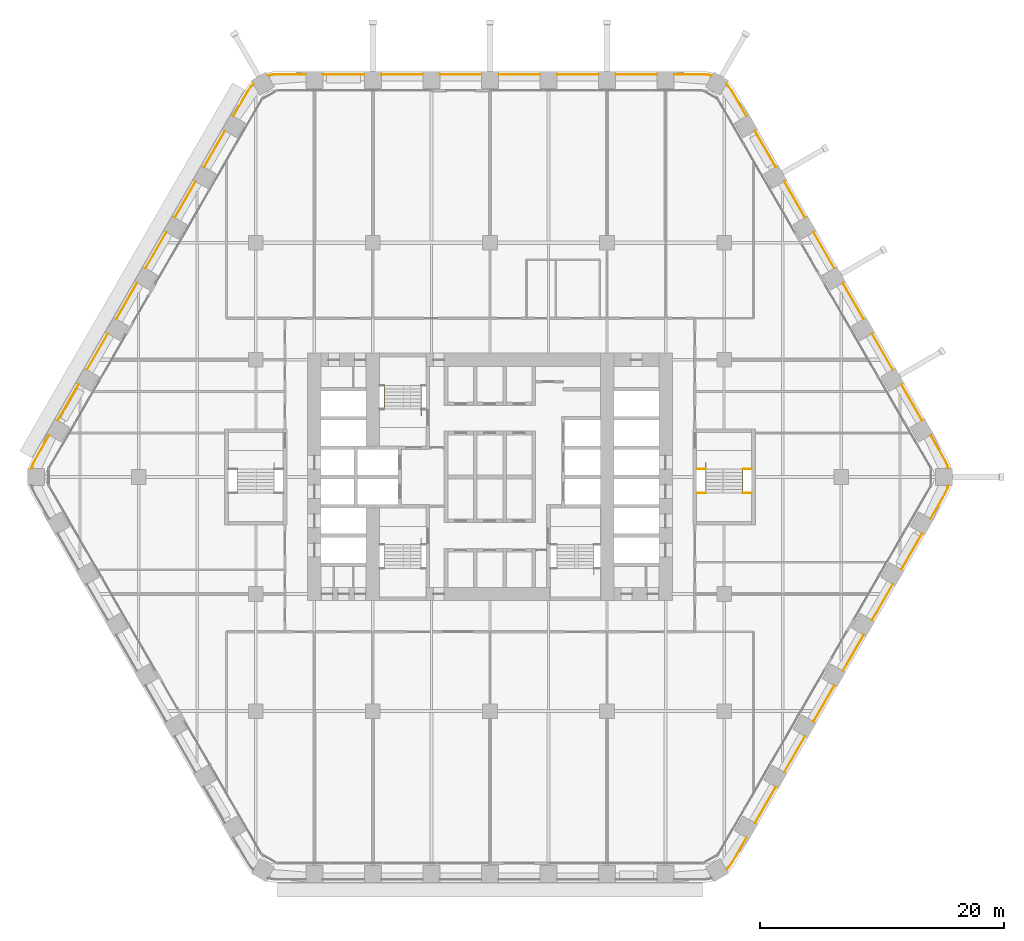
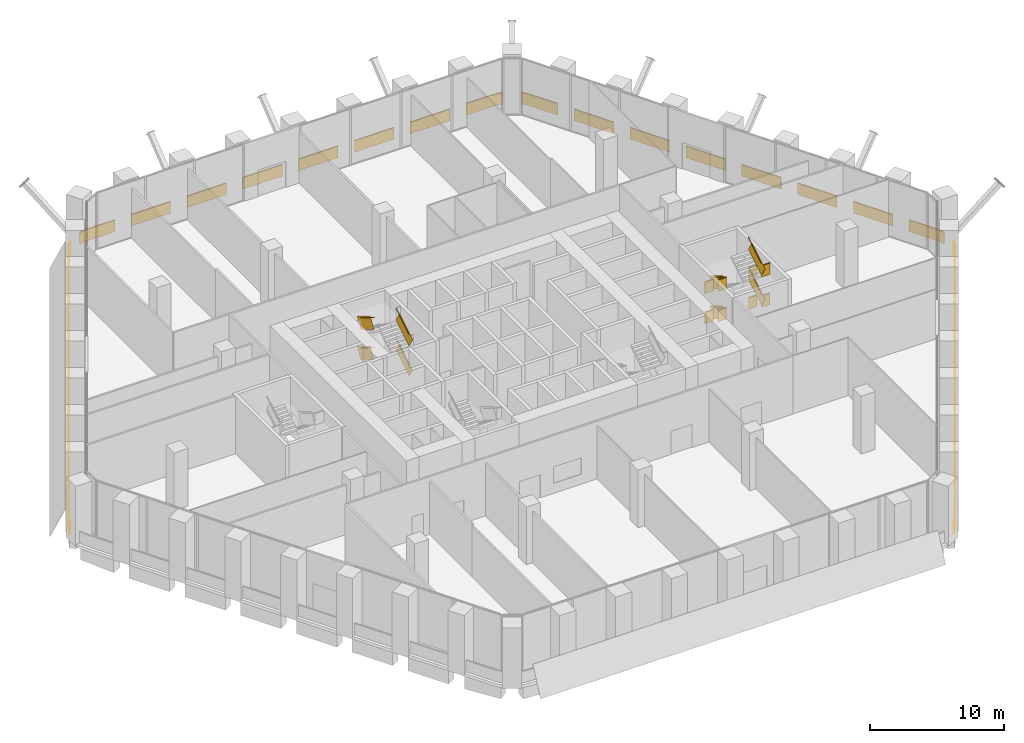
# One storey, part 29 of 29: 7 railings.
"""IFC4 building model written with IfcOpenShell, lengths in metres."""

from ifc_helpers import new_model, si_unit, direction, frame, frame_2d, origin, origin_2d, place, context, subcontext, project, spatial, rectangle, extrude, material, type_object, element, save


model = new_model("IFC4")

# Units and contexts
model_context = context("Model", 3, precision=1e-05, world=origin(), true_north=direction((0.0, 1.0)))
body_context = subcontext(model_context, "Body", "Model", "MODEL_VIEW")
ifc_project = project(units=[si_unit("LENGTHUNIT", "METRE"), si_unit("AREAUNIT", "SQUARE_METRE"), si_unit("VOLUMEUNIT", "CUBIC_METRE"), si_unit("PLANEANGLEUNIT", "RADIAN"), si_unit("MASSUNIT", "GRAM", prefix="KILO")], contexts=[model_context])

# Site, building, storey
site_placement = place(None, origin())
site = spatial("IfcSite", under=ifc_project, at=site_placement, CompositionType="ELEMENT")
building_placement = place(site_placement, origin())
building = spatial("IfcBuilding", under=site, at=building_placement, Name="Kolab Exchange Tower", CompositionType="ELEMENT")
storey_placement = place(building_placement, frame((0.0, 0.0, 33.39990234375)))
storey = spatial("IfcBuildingStorey", under=building, at=storey_placement, Name="L06", CompositionType="ELEMENT", Elevation=33.39990234375)

# Railings
ifc_material_1 = material(Name="Stainless steel 316", Category="steel")
railing_type_1 = type_object("IfcRailingType", Name="GUARD 1100", PredefinedType="GUARDRAIL", material=ifc_material_1)
railing_1_placement = place(storey_placement, frame((-5.639892578125, 5.550048828125, 0.172119140625)))
element("IfcRailing", 1, at=railing_1_placement, inside=storey, type_object=railing_type_1, Name="Handrail guard ST1", PredefinedType="GUARDRAIL", context=body_context, shape_type="SweptSolid", body=[
    extrude(rectangle(XDim=0.05, YDim=0.05, at=origin_2d()), frame((0.0, 0.0, 1.0751953125), z_axis=(0.0, 0.852288308005, 0.523072308613), x_axis=(-1.0, 0.0, 0.0)), (0.0, 0.0, 1.0), 2.299560546875),
    extrude(rectangle(XDim=0.012, YDim=1.05009765625, at=frame_2d((0.0, 0.525146484375))), frame((0.0, 0.0, 0.0), z_axis=(0.0, 0.852288308005, 0.523072308613), x_axis=(-1.0, 0.0, 0.0)), (0.0, 0.0, 1.0), 2.299560546875),
    extrude(rectangle(XDim=0.05, YDim=0.05, at=origin_2d()), frame((-3.02001953125, 1.9599609375, 2.4501953125), z_axis=(0.0, -0.852288308005, 0.523072308613), x_axis=(1.0, 0.0, 0.0)), (0.0, 0.0, 1.0), 2.299560546875),
    extrude(rectangle(XDim=0.012, YDim=1.05009765625, at=frame_2d((0.0, 0.525146484375))), frame((-3.02001953125, 1.9599609375, 1.375), z_axis=(0.0, -0.852288308005, 0.523072308613), x_axis=(1.0, 0.0, 0.0)), (0.0, 0.0, 1.0), 2.299560546875),
    extrude(rectangle(XDim=0.05, YDim=0.05, at=origin_2d()), frame((0.0, 0.0, 3.8251953125), z_axis=(0.0, 0.852288308005, 0.523072308613), x_axis=(-1.0, 0.0, 0.0)), (0.0, 0.0, 1.0), 2.299560546875),
    extrude(rectangle(XDim=0.012, YDim=1.05009765625, at=frame_2d((0.0, 0.525146484375))), frame((0.0, 0.0, 2.75), z_axis=(0.0, 0.852288308005, 0.523072308613), x_axis=(-1.0, 0.0, 0.0)), (0.0, 0.0, 1.0), 2.299560546875),
    extrude(rectangle(XDim=0.05, YDim=0.05, at=origin_2d()), frame((-3.02001953125, 1.9599609375, 5.2001953125), z_axis=(0.0, -0.852288308005, 0.523072308613), x_axis=(1.0, 0.0, 0.0)), (0.0, 0.0, 1.0), 2.299560546875),
    extrude(rectangle(XDim=0.012, YDim=1.05009765625, at=frame_2d((0.0, 0.525146484375))), frame((-3.02001953125, 1.9599609375, 4.125), z_axis=(0.0, -0.852288308005, 0.523072308613), x_axis=(1.0, 0.0, 0.0)), (0.0, 0.0, 1.0), 2.299560546875),
])
railing_2_placement = place(storey_placement, frame((16.949951171875, 0.64990234375, 0.0)))
element("IfcRailing", 2, at=railing_2_placement, inside=storey, type_object=railing_type_1, Name="Guard ST4", PredefinedType="GUARDRAIL", context=body_context, shape_type="SweptSolid", body=[
    extrude(rectangle(XDim=0.05, YDim=0.05, at=origin_2d()), frame((0.0, 0.0, 1.0751953125), z_axis=(1.0, 0.0, 0.0), x_axis=(0.0, 1.0, 0.0)), (0.0, 0.0, 1.0), 0.739990234375),
    extrude(rectangle(XDim=0.012, YDim=1.05009765625, at=frame_2d((0.0, 0.525146484375))), frame((0.0, 0.0, 0.0), z_axis=(1.0, 0.0, 0.0), x_axis=(0.0, 1.0, 0.0)), (0.0, 0.0, 1.0), 0.739990234375),
    extrude(rectangle(XDim=0.05, YDim=0.05, at=origin_2d()), frame((3.760009765625, 0.0, 1.0751953125), z_axis=(1.0, 0.0, 0.0), x_axis=(0.0, 1.0, 0.0)), (0.0, 0.0, 1.0), 0.739990234375),
    extrude(rectangle(XDim=0.012, YDim=1.05009765625, at=frame_2d((0.0, 0.525146484375))), frame((3.760009765625, 0.0, 0.0), z_axis=(1.0, 0.0, 0.0), x_axis=(0.0, 1.0, 0.0)), (0.0, 0.0, 1.0), 0.739990234375),
    extrude(rectangle(XDim=0.05, YDim=0.05, at=origin_2d()), frame((0.0, -1.9599609375, 2.4501953125), z_axis=(1.0, 0.0, 0.0), x_axis=(0.0, 1.0, 0.0)), (0.0, 0.0, 1.0), 0.739990234375),
    extrude(rectangle(XDim=0.012, YDim=1.05009765625, at=frame_2d((0.0, 0.525146484375))), frame((0.0, -1.9599609375, 1.375), z_axis=(1.0, 0.0, 0.0), x_axis=(0.0, 1.0, 0.0)), (0.0, 0.0, 1.0), 0.739990234375),
    extrude(rectangle(XDim=0.05, YDim=0.05, at=origin_2d()), frame((3.760009765625, -1.9599609375, 2.4501953125), z_axis=(1.0, 0.0, 0.0), x_axis=(0.0, 1.0, 0.0)), (0.0, 0.0, 1.0), 0.739990234375),
    extrude(rectangle(XDim=0.012, YDim=1.05009765625, at=frame_2d((0.0, 0.525146484375))), frame((3.760009765625, -1.9599609375, 1.375), z_axis=(1.0, 0.0, 0.0), x_axis=(0.0, 1.0, 0.0)), (0.0, 0.0, 1.0), 0.739990234375),
    extrude(rectangle(XDim=0.05, YDim=0.05, at=origin_2d()), frame((0.0, 0.0, 3.8251953125), z_axis=(1.0, 0.0, 0.0), x_axis=(0.0, 1.0, 0.0)), (0.0, 0.0, 1.0), 0.739990234375),
    extrude(rectangle(XDim=0.012, YDim=1.05009765625, at=frame_2d((0.0, 0.525146484375))), frame((0.0, 0.0, 2.75), z_axis=(1.0, 0.0, 0.0), x_axis=(0.0, 1.0, 0.0)), (0.0, 0.0, 1.0), 0.739990234375),
    extrude(rectangle(XDim=0.05, YDim=0.05, at=origin_2d()), frame((3.760009765625, 0.0, 3.8251953125), z_axis=(1.0, 0.0, 0.0), x_axis=(0.0, 1.0, 0.0)), (0.0, 0.0, 1.0), 0.739990234375),
    extrude(rectangle(XDim=0.012, YDim=1.05009765625, at=frame_2d((0.0, 0.525146484375))), frame((3.760009765625, 0.0, 2.75), z_axis=(1.0, 0.0, 0.0), x_axis=(0.0, 1.0, 0.0)), (0.0, 0.0, 1.0), 0.739990234375),
    extrude(rectangle(XDim=0.05, YDim=0.05, at=origin_2d()), frame((0.0, -1.9599609375, 5.2001953125), z_axis=(1.0, 0.0, 0.0), x_axis=(0.0, 1.0, 0.0)), (0.0, 0.0, 1.0), 0.739990234375),
    extrude(rectangle(XDim=0.012, YDim=1.05009765625, at=frame_2d((0.0, 0.525146484375))), frame((0.0, -1.9599609375, 4.125), z_axis=(1.0, 0.0, 0.0), x_axis=(0.0, 1.0, 0.0)), (0.0, 0.0, 1.0), 0.739990234375),
    extrude(rectangle(XDim=0.05, YDim=0.05, at=origin_2d()), frame((3.760009765625, -1.9599609375, 5.2001953125), z_axis=(1.0, 0.0, 0.0), x_axis=(0.0, 1.0, 0.0)), (0.0, 0.0, 1.0), 0.739990234375),
    extrude(rectangle(XDim=0.012, YDim=1.05009765625, at=frame_2d((0.0, 0.525146484375))), frame((3.760009765625, -1.9599609375, 4.125), z_axis=(1.0, 0.0, 0.0), x_axis=(0.0, 1.0, 0.0)), (0.0, 0.0, 1.0), 0.739990234375),
])
railing_3_placement = place(storey_placement, frame((17.68994140625, 0.64990234375, 0.172119140625)))
element("IfcRailing", 3, at=railing_3_placement, inside=storey, type_object=railing_type_1, Name="Handrail guard ST4", PredefinedType="GUARDRAIL", context=body_context, shape_type="SweptSolid", body=[
    extrude(rectangle(XDim=0.05, YDim=0.05, at=origin_2d()), frame((0.0, 0.0, 1.0751953125), z_axis=(0.0, -0.852288308005, 0.523072308613), x_axis=(1.0, 0.0, 0.0)), (0.0, 0.0, 1.0), 2.299560546875),
    extrude(rectangle(XDim=0.012, YDim=1.05009765625, at=frame_2d((0.0, 0.525146484375))), frame((0.0, 0.0, 0.0), z_axis=(0.0, -0.852288308005, 0.523072308613), x_axis=(1.0, 0.0, 0.0)), (0.0, 0.0, 1.0), 2.299560546875),
    extrude(rectangle(XDim=0.05, YDim=0.05, at=origin_2d()), frame((3.02001953125, -1.9599609375, 2.4501953125), z_axis=(0.0, 0.852288308005, 0.523072308613), x_axis=(-1.0, 0.0, 0.0)), (0.0, 0.0, 1.0), 2.299560546875),
    extrude(rectangle(XDim=0.012, YDim=1.05009765625, at=frame_2d((0.0, 0.525146484375))), frame((3.02001953125, -1.9599609375, 1.375), z_axis=(0.0, 0.852288308005, 0.523072308613), x_axis=(-1.0, 0.0, 0.0)), (0.0, 0.0, 1.0), 2.299560546875),
    extrude(rectangle(XDim=0.05, YDim=0.05, at=origin_2d()), frame((0.0, 0.0, 3.8251953125), z_axis=(0.0, -0.852288308005, 0.523072308613), x_axis=(1.0, 0.0, 0.0)), (0.0, 0.0, 1.0), 2.299560546875),
    extrude(rectangle(XDim=0.012, YDim=1.05009765625, at=frame_2d((0.0, 0.525146484375))), frame((0.0, 0.0, 2.75), z_axis=(0.0, -0.852288308005, 0.523072308613), x_axis=(1.0, 0.0, 0.0)), (0.0, 0.0, 1.0), 2.299560546875),
    extrude(rectangle(XDim=0.05, YDim=0.05, at=origin_2d()), frame((3.02001953125, -1.9599609375, 5.2001953125), z_axis=(0.0, 0.852288308005, 0.523072308613), x_axis=(-1.0, 0.0, 0.0)), (0.0, 0.0, 1.0), 2.299560546875),
    extrude(rectangle(XDim=0.012, YDim=1.05009765625, at=frame_2d((0.0, 0.525146484375))), frame((3.02001953125, -1.9599609375, 4.125), z_axis=(0.0, 0.852288308005, 0.523072308613), x_axis=(-1.0, 0.0, 0.0)), (0.0, 0.0, 1.0), 2.299560546875),
])
ifc_material_2 = material(Name="Steel S235", Category="steel")
railing_type_2 = type_object("IfcRailingType", Name="GUARD 1100 GLASS BALUSTRADE AND STEEL TOP RAIL", PredefinedType="GUARDRAIL", material=ifc_material_2)
railing_4_placement = place(storey_placement, frame((18.1953125, 32.896728515625, 0.0)))
element("IfcRailing", 4, at=railing_4_placement, inside=storey, type_object=railing_type_2, Name="Guard", PredefinedType="GUARDRAIL", context=body_context, shape_type="SweptSolid", body=[
    extrude(rectangle(XDim=0.05, YDim=0.05, at=origin_2d()), frame((0.0, 0.0, 1.0751953125), z_axis=(-0.965952265455, 0.258720352624, 0.0), x_axis=(-0.258720352624, -0.965952265455, 0.0)), (0.0, 0.0, 1.0), 0.258544921875),
    extrude(rectangle(XDim=0.012, YDim=1.05009765625, at=frame_2d((0.0, 0.525146484375))), frame((0.0, 0.0, 0.0), z_axis=(-0.965952265455, 0.258720352624, 0.0), x_axis=(-0.258720352624, -0.965952265455, 0.0)), (0.0, 0.0, 1.0), 0.258544921875),
    extrude(rectangle(XDim=0.05, YDim=0.05, at=origin_2d()), frame((-0.249755859375, 0.06689453125, 1.0751953125), z_axis=(-0.996200348447, 0.087091134757, 0.0), x_axis=(-0.087091134757, -0.996200348447, 0.0)), (0.0, 0.0, 1.0), 0.479248046875),
    extrude(rectangle(XDim=0.012, YDim=1.05009765625, at=frame_2d((0.0, 0.525146484375))), frame((-0.249755859375, 0.06689453125, 0.0), z_axis=(-0.996200348447, 0.087091134757, 0.0), x_axis=(-0.087091134757, -0.996200348447, 0.0)), (0.0, 0.0, 1.0), 0.479248046875),
    extrude(rectangle(XDim=0.05, YDim=0.05, at=origin_2d()), frame((-0.727294921875, 0.108642578125, 1.0751953125), z_axis=(-1.0, 0.0, 0.0), x_axis=(0.0, -1.0, 0.0)), (0.0, 0.0, 1.0), 2.367919921875),
    extrude(rectangle(XDim=0.012, YDim=1.05009765625, at=frame_2d((0.0, 0.525146484375))), frame((-0.727294921875, 0.108642578125, 0.0), z_axis=(-1.0, 0.0, 0.0), x_axis=(0.0, -1.0, 0.0)), (0.0, 0.0, 1.0), 2.367919921875),
    extrude(rectangle(XDim=0.05, YDim=0.05, at=origin_2d()), frame((-4.495361328125, 0.108642578125, 1.0751953125), z_axis=(-1.0, 0.0, 0.0), x_axis=(0.0, -1.0, 0.0)), (0.0, 0.0, 1.0), 3.39990234375),
    extrude(rectangle(XDim=0.012, YDim=1.05009765625, at=frame_2d((0.0, 0.525146484375))), frame((-4.495361328125, 0.108642578125, 0.0), z_axis=(-1.0, 0.0, 0.0), x_axis=(0.0, -1.0, 0.0)), (0.0, 0.0, 1.0), 3.39990234375),
    extrude(rectangle(XDim=0.05, YDim=0.05, at=origin_2d()), frame((-9.29541015625, 0.108642578125, 1.0751953125), z_axis=(-1.0, 0.0, 0.0), x_axis=(0.0, -1.0, 0.0)), (0.0, 0.0, 1.0), 3.39990234375),
    extrude(rectangle(XDim=0.012, YDim=1.05009765625, at=frame_2d((0.0, 0.525146484375))), frame((-9.29541015625, 0.108642578125, 0.0), z_axis=(-1.0, 0.0, 0.0), x_axis=(0.0, -1.0, 0.0)), (0.0, 0.0, 1.0), 3.39990234375),
    extrude(rectangle(XDim=0.05, YDim=0.05, at=origin_2d()), frame((-14.09521484375, 0.108642578125, 1.0751953125), z_axis=(-1.0, 0.0, 0.0), x_axis=(0.0, -1.0, 0.0)), (0.0, 0.0, 1.0), 3.400146484375),
    extrude(rectangle(XDim=0.012, YDim=1.05009765625, at=frame_2d((0.0, 0.525146484375))), frame((-14.09521484375, 0.108642578125, 0.0), z_axis=(-1.0, 0.0, 0.0), x_axis=(0.0, -1.0, 0.0)), (0.0, 0.0, 1.0), 3.400146484375),
    extrude(rectangle(XDim=0.05, YDim=0.05, at=origin_2d()), frame((-18.895263671875, 0.108642578125, 1.0751953125), z_axis=(-1.0, 0.0, 0.0), x_axis=(0.0, -1.0, 0.0)), (0.0, 0.0, 1.0), 3.400146484375),
    extrude(rectangle(XDim=0.012, YDim=1.05009765625, at=frame_2d((0.0, 0.525146484375))), frame((-18.895263671875, 0.108642578125, 0.0), z_axis=(-1.0, 0.0, 0.0), x_axis=(0.0, -1.0, 0.0)), (0.0, 0.0, 1.0), 3.400146484375),
    extrude(rectangle(XDim=0.05, YDim=0.05, at=origin_2d()), frame((-23.6953125, 0.108642578125, 1.0751953125), z_axis=(-1.0, 0.0, 0.0), x_axis=(0.0, -1.0, 0.0)), (0.0, 0.0, 1.0), 3.39990234375),
    extrude(rectangle(XDim=0.012, YDim=1.05009765625, at=frame_2d((0.0, 0.525146484375))), frame((-23.6953125, 0.108642578125, 0.0), z_axis=(-1.0, 0.0, 0.0), x_axis=(0.0, -1.0, 0.0)), (0.0, 0.0, 1.0), 3.39990234375),
    extrude(rectangle(XDim=0.05, YDim=0.05, at=origin_2d()), frame((-28.495361328125, 0.108642578125, 1.0751953125), z_axis=(-1.0, 0.0, 0.0), x_axis=(0.0, -1.0, 0.0)), (0.0, 0.0, 1.0), 3.39990234375),
    extrude(rectangle(XDim=0.012, YDim=1.05009765625, at=frame_2d((0.0, 0.525146484375))), frame((-28.495361328125, 0.108642578125, 0.0), z_axis=(-1.0, 0.0, 0.0), x_axis=(0.0, -1.0, 0.0)), (0.0, 0.0, 1.0), 3.39990234375),
    extrude(rectangle(XDim=0.05, YDim=0.05, at=origin_2d()), frame((-33.29541015625, 0.108642578125, 1.0751953125), z_axis=(-1.0, 0.0, 0.0), x_axis=(0.0, -1.0, 0.0)), (0.0, 0.0, 1.0), 2.367919921875),
    extrude(rectangle(XDim=0.012, YDim=1.05009765625, at=frame_2d((0.0, 0.525146484375))), frame((-33.29541015625, 0.108642578125, 0.0), z_axis=(-1.0, 0.0, 0.0), x_axis=(0.0, -1.0, 0.0)), (0.0, 0.0, 1.0), 2.367919921875),
    extrude(rectangle(XDim=0.05, YDim=0.05, at=origin_2d()), frame((-35.663330078125, 0.108642578125, 1.0751953125), z_axis=(-0.996200348447, -0.087091134757, 0.0), x_axis=(0.087091134757, -0.996200348447, 0.0)), (0.0, 0.0, 1.0), 0.479248046875),
    extrude(rectangle(XDim=0.012, YDim=1.05009765625, at=frame_2d((0.0, 0.525146484375))), frame((-35.663330078125, 0.108642578125, 0.0), z_axis=(-0.996200348447, -0.087091134757, 0.0), x_axis=(0.087091134757, -0.996200348447, 0.0)), (0.0, 0.0, 1.0), 0.479248046875),
    extrude(rectangle(XDim=0.05, YDim=0.05, at=origin_2d()), frame((-36.140869140625, 0.06689453125, 1.0751953125), z_axis=(-0.965952265455, -0.258720352624, 0.0), x_axis=(0.258720352624, -0.965952265455, 0.0)), (0.0, 0.0, 1.0), 0.258544921875),
    extrude(rectangle(XDim=0.012, YDim=1.05009765625, at=frame_2d((0.0, 0.525146484375))), frame((-36.140869140625, 0.06689453125, 0.0), z_axis=(-0.965952265455, -0.258720352624, 0.0), x_axis=(0.258720352624, -0.965952265455, 0.0)), (0.0, 0.0, 1.0), 0.258544921875),
])
railing_5_placement = place(storey_placement, frame((37.5869140625, 0.690673828125, 0.0)))
element("IfcRailing", 5, at=railing_5_placement, inside=storey, type_object=railing_type_2, Name="Guard", PredefinedType="GUARDRAIL", context=body_context, shape_type="SweptSolid", body=[
    extrude(rectangle(XDim=0.05, YDim=0.05, at=origin_2d()), frame((0.0, 0.0, 1.0751953125), z_axis=(-0.258484584798, 0.966015382601, 0.0), x_axis=(-0.966015382601, -0.258484584798, 0.0)), (0.0, 0.0, 1.0), 0.2587890625),
    extrude(rectangle(XDim=0.012, YDim=1.05009765625, at=frame_2d((0.0, 0.525146484375))), frame((0.0, 0.0, 0.0), z_axis=(-0.258484584798, 0.966015382601, 0.0), x_axis=(-0.966015382601, -0.258484584798, 0.0)), (0.0, 0.0, 1.0), 0.2587890625),
    extrude(rectangle(XDim=0.05, YDim=0.05, at=origin_2d()), frame((-0.06689453125, 0.25, 1.0751953125), z_axis=(-0.422801802984, 0.906222177721, 0.0), x_axis=(-0.906222177721, -0.422801802984, 0.0)), (0.0, 0.0, 1.0), 0.479248046875),
    extrude(rectangle(XDim=0.012, YDim=1.05009765625, at=frame_2d((0.0, 0.525146484375))), frame((-0.06689453125, 0.25, 0.0), z_axis=(-0.422801802984, 0.906222177721, 0.0), x_axis=(-0.906222177721, -0.422801802984, 0.0)), (0.0, 0.0, 1.0), 0.479248046875),
    extrude(rectangle(XDim=0.05, YDim=0.05, at=origin_2d()), frame((-0.26953125, 0.684326171875, 1.0751953125), z_axis=(-0.499942602326, 0.866058539811, 0.0), x_axis=(-0.866058539811, -0.499942602326, 0.0)), (0.0, 0.0, 1.0), 2.367919921875),
    extrude(rectangle(XDim=0.012, YDim=1.05009765625, at=frame_2d((0.0, 0.525146484375))), frame((-0.26953125, 0.684326171875, 0.0), z_axis=(-0.499942602326, 0.866058539811, 0.0), x_axis=(-0.866058539811, -0.499942602326, 0.0)), (0.0, 0.0, 1.0), 2.367919921875),
    extrude(rectangle(XDim=0.05, YDim=0.05, at=origin_2d()), frame((-2.1533203125, 3.947509765625, 1.0751953125), z_axis=(-0.500062241894, 0.865989465428, 0.0), x_axis=(-0.865989465428, -0.500062241894, 0.0)), (0.0, 0.0, 1.0), 3.39990234375),
    extrude(rectangle(XDim=0.012, YDim=1.05009765625, at=frame_2d((0.0, 0.525146484375))), frame((-2.1533203125, 3.947509765625, 0.0), z_axis=(-0.500062241894, 0.865989465428, 0.0), x_axis=(-0.865989465428, -0.500062241894, 0.0)), (0.0, 0.0, 1.0), 3.39990234375),
    extrude(rectangle(XDim=0.05, YDim=0.05, at=origin_2d()), frame((-4.553466796875, 8.1044921875, 1.0751953125), z_axis=(-0.500008388397, 0.866020560687, 0.0), x_axis=(-0.866020560687, -0.500008388397, 0.0)), (0.0, 0.0, 1.0), 3.39990234375),
    extrude(rectangle(XDim=0.012, YDim=1.05009765625, at=frame_2d((0.0, 0.525146484375))), frame((-4.553466796875, 8.1044921875, 0.0), z_axis=(-0.500008388397, 0.866020560687, 0.0), x_axis=(-0.866020560687, -0.500008388397, 0.0)), (0.0, 0.0, 1.0), 3.39990234375),
    extrude(rectangle(XDim=0.05, YDim=0.05, at=origin_2d()), frame((-6.953369140625, 12.26123046875, 1.0751953125), z_axis=(-0.499977295307, 0.866038511948, 0.0), x_axis=(-0.866038511948, -0.499977295307, 0.0)), (0.0, 0.0, 1.0), 3.400146484375),
    extrude(rectangle(XDim=0.012, YDim=1.05009765625, at=frame_2d((0.0, 0.525146484375))), frame((-6.953369140625, 12.26123046875, 0.0), z_axis=(-0.499977295307, 0.866038511948, 0.0), x_axis=(-0.866038511948, -0.499977295307, 0.0)), (0.0, 0.0, 1.0), 3.400146484375),
    extrude(rectangle(XDim=0.05, YDim=0.05, at=origin_2d()), frame((-9.353515625, 16.418212890625, 1.0751953125), z_axis=(-0.499977295307, 0.866038511948, 0.0), x_axis=(-0.866038511948, -0.499977295307, 0.0)), (0.0, 0.0, 1.0), 3.400146484375),
    extrude(rectangle(XDim=0.012, YDim=1.05009765625, at=frame_2d((0.0, 0.525146484375))), frame((-9.353515625, 16.418212890625, 0.0), z_axis=(-0.499977295307, 0.866038511948, 0.0), x_axis=(-0.866038511948, -0.499977295307, 0.0)), (0.0, 0.0, 1.0), 3.400146484375),
    extrude(rectangle(XDim=0.05, YDim=0.05, at=origin_2d()), frame((-11.75341796875, 20.5751953125, 1.0751953125), z_axis=(-0.500008388397, 0.866020560687, 0.0), x_axis=(-0.866020560687, -0.500008388397, 0.0)), (0.0, 0.0, 1.0), 3.39990234375),
    extrude(rectangle(XDim=0.012, YDim=1.05009765625, at=frame_2d((0.0, 0.525146484375))), frame((-11.75341796875, 20.5751953125, 0.0), z_axis=(-0.500008388397, 0.866020560687, 0.0), x_axis=(-0.866020560687, -0.500008388397, 0.0)), (0.0, 0.0, 1.0), 3.39990234375),
    extrude(rectangle(XDim=0.05, YDim=0.05, at=origin_2d()), frame((-14.1533203125, 24.732177734375, 1.0751953125), z_axis=(-0.500062241894, 0.865989465428, 0.0), x_axis=(-0.865989465428, -0.500062241894, 0.0)), (0.0, 0.0, 1.0), 3.39990234375),
    extrude(rectangle(XDim=0.012, YDim=1.05009765625, at=frame_2d((0.0, 0.525146484375))), frame((-14.1533203125, 24.732177734375, 0.0), z_axis=(-0.500062241894, 0.865989465428, 0.0), x_axis=(-0.865989465428, -0.500062241894, 0.0)), (0.0, 0.0, 1.0), 3.39990234375),
    extrude(rectangle(XDim=0.05, YDim=0.05, at=origin_2d()), frame((-16.553466796875, 28.888916015625, 1.0751953125), z_axis=(-0.499942602326, 0.866058539811, 0.0), x_axis=(-0.866058539811, -0.499942602326, 0.0)), (0.0, 0.0, 1.0), 2.367919921875),
    extrude(rectangle(XDim=0.012, YDim=1.05009765625, at=frame_2d((0.0, 0.525146484375))), frame((-16.553466796875, 28.888916015625, 0.0), z_axis=(-0.499942602326, 0.866058539811, 0.0), x_axis=(-0.866058539811, -0.499942602326, 0.0)), (0.0, 0.0, 1.0), 2.367919921875),
    extrude(rectangle(XDim=0.05, YDim=0.05, at=origin_2d()), frame((-17.7373046875, 30.939697265625, 1.0751953125), z_axis=(-0.573940749815, 0.818896828485, 0.0), x_axis=(-0.818896828485, -0.573940749815, 0.0)), (0.0, 0.0, 1.0), 0.4794921875),
    extrude(rectangle(XDim=0.012, YDim=1.05009765625, at=frame_2d((0.0, 0.525146484375))), frame((-17.7373046875, 30.939697265625, 0.0), z_axis=(-0.573940749815, 0.818896828485, 0.0), x_axis=(-0.818896828485, -0.573940749815, 0.0)), (0.0, 0.0, 1.0), 0.4794921875),
    extrude(rectangle(XDim=0.05, YDim=0.05, at=origin_2d()), frame((-18.012451171875, 31.332275390625, 1.0751953125), z_axis=(-0.706634904947, 0.707578342737, 0.0), x_axis=(-0.707578342737, -0.706634904947, 0.0)), (0.0, 0.0, 1.0), 0.2587890625),
    extrude(rectangle(XDim=0.012, YDim=1.05009765625, at=frame_2d((0.0, 0.525146484375))), frame((-18.012451171875, 31.332275390625, 0.0), z_axis=(-0.706634904947, 0.707578342737, 0.0), x_axis=(-0.707578342737, -0.706634904947, 0.0)), (0.0, 0.0, 1.0), 0.2587890625),
])
railing_6_placement = place(storey_placement, frame((19.3916015625, -32.2060546875, 0.0)))
element("IfcRailing", 6, at=railing_6_placement, inside=storey, type_object=railing_type_2, Name="Guard", PredefinedType="GUARDRAIL", context=body_context, shape_type="SweptSolid", body=[
    extrude(rectangle(XDim=0.05, YDim=0.05, at=origin_2d()), frame((0.0, 0.0, 1.0751953125), z_axis=(0.706634904947, 0.707578342737, 0.0), x_axis=(-0.707578342737, 0.706634904947, 0.0)), (0.0, 0.0, 1.0), 0.2587890625),
    extrude(rectangle(XDim=0.012, YDim=1.05009765625, at=frame_2d((0.0, 0.525146484375))), frame((0.0, 0.0, 0.0), z_axis=(0.706634904947, 0.707578342737, 0.0), x_axis=(-0.707578342737, 0.706634904947, 0.0)), (0.0, 0.0, 1.0), 0.2587890625),
    extrude(rectangle(XDim=0.05, YDim=0.05, at=origin_2d()), frame((0.182861328125, 0.18310546875, 1.0751953125), z_axis=(0.573940749815, 0.818896828485, 0.0), x_axis=(-0.818896828485, 0.573940749815, 0.0)), (0.0, 0.0, 1.0), 0.4794921875),
    extrude(rectangle(XDim=0.012, YDim=1.05009765625, at=frame_2d((0.0, 0.525146484375))), frame((0.182861328125, 0.18310546875, 0.0), z_axis=(0.573940749815, 0.818896828485, 0.0), x_axis=(-0.818896828485, 0.573940749815, 0.0)), (0.0, 0.0, 1.0), 0.4794921875),
    extrude(rectangle(XDim=0.05, YDim=0.05, at=origin_2d()), frame((0.4580078125, 0.57568359375, 1.0751953125), z_axis=(0.499942602326, 0.866058539811, 0.0), x_axis=(-0.866058539811, 0.499942602326, 0.0)), (0.0, 0.0, 1.0), 2.367919921875),
    extrude(rectangle(XDim=0.012, YDim=1.05009765625, at=frame_2d((0.0, 0.525146484375))), frame((0.4580078125, 0.57568359375, 0.0), z_axis=(0.499942602326, 0.866058539811, 0.0), x_axis=(-0.866058539811, 0.499942602326, 0.0)), (0.0, 0.0, 1.0), 2.367919921875),
    extrude(rectangle(XDim=0.05, YDim=0.05, at=origin_2d()), frame((2.341796875, 3.8388671875, 1.0751953125), z_axis=(0.500062241894, 0.865989465428, 0.0), x_axis=(-0.865989465428, 0.500062241894, 0.0)), (0.0, 0.0, 1.0), 3.39990234375),
    extrude(rectangle(XDim=0.012, YDim=1.05009765625, at=frame_2d((0.0, 0.525146484375))), frame((2.341796875, 3.8388671875, 0.0), z_axis=(0.500062241894, 0.865989465428, 0.0), x_axis=(-0.865989465428, 0.500062241894, 0.0)), (0.0, 0.0, 1.0), 3.39990234375),
    extrude(rectangle(XDim=0.05, YDim=0.05, at=origin_2d()), frame((4.741943359375, 7.995849609375, 1.0751953125), z_axis=(0.500008388397, 0.866020560687, 0.0), x_axis=(-0.866020560687, 0.500008388397, 0.0)), (0.0, 0.0, 1.0), 3.39990234375),
    extrude(rectangle(XDim=0.012, YDim=1.05009765625, at=frame_2d((0.0, 0.525146484375))), frame((4.741943359375, 7.995849609375, 0.0), z_axis=(0.500008388397, 0.866020560687, 0.0), x_axis=(-0.866020560687, 0.500008388397, 0.0)), (0.0, 0.0, 1.0), 3.39990234375),
    extrude(rectangle(XDim=0.05, YDim=0.05, at=origin_2d()), frame((7.141845703125, 12.152587890625, 1.0751953125), z_axis=(0.499977295307, 0.866038511948, 0.0), x_axis=(-0.866038511948, 0.499977295307, 0.0)), (0.0, 0.0, 1.0), 3.400146484375),
    extrude(rectangle(XDim=0.012, YDim=1.05009765625, at=frame_2d((0.0, 0.525146484375))), frame((7.141845703125, 12.152587890625, 0.0), z_axis=(0.499977295307, 0.866038511948, 0.0), x_axis=(-0.866038511948, 0.499977295307, 0.0)), (0.0, 0.0, 1.0), 3.400146484375),
    extrude(rectangle(XDim=0.05, YDim=0.05, at=origin_2d()), frame((9.5419921875, 16.3095703125, 1.0751953125), z_axis=(0.499977295307, 0.866038511948, 0.0), x_axis=(-0.866038511948, 0.499977295307, 0.0)), (0.0, 0.0, 1.0), 3.400146484375),
    extrude(rectangle(XDim=0.012, YDim=1.05009765625, at=frame_2d((0.0, 0.525146484375))), frame((9.5419921875, 16.3095703125, 0.0), z_axis=(0.499977295307, 0.866038511948, 0.0), x_axis=(-0.866038511948, 0.499977295307, 0.0)), (0.0, 0.0, 1.0), 3.400146484375),
    extrude(rectangle(XDim=0.05, YDim=0.05, at=origin_2d()), frame((11.94189453125, 20.466552734375, 1.0751953125), z_axis=(0.500008388397, 0.866020560687, 0.0), x_axis=(-0.866020560687, 0.500008388397, 0.0)), (0.0, 0.0, 1.0), 3.39990234375),
    extrude(rectangle(XDim=0.012, YDim=1.05009765625, at=frame_2d((0.0, 0.525146484375))), frame((11.94189453125, 20.466552734375, 0.0), z_axis=(0.500008388397, 0.866020560687, 0.0), x_axis=(-0.866020560687, 0.500008388397, 0.0)), (0.0, 0.0, 1.0), 3.39990234375),
    extrude(rectangle(XDim=0.05, YDim=0.05, at=origin_2d()), frame((14.341796875, 24.62353515625, 1.0751953125), z_axis=(0.500062241894, 0.865989465428, 0.0), x_axis=(-0.865989465428, 0.500062241894, 0.0)), (0.0, 0.0, 1.0), 3.39990234375),
    extrude(rectangle(XDim=0.012, YDim=1.05009765625, at=frame_2d((0.0, 0.525146484375))), frame((14.341796875, 24.62353515625, 0.0), z_axis=(0.500062241894, 0.865989465428, 0.0), x_axis=(-0.865989465428, 0.500062241894, 0.0)), (0.0, 0.0, 1.0), 3.39990234375),
    extrude(rectangle(XDim=0.05, YDim=0.05, at=origin_2d()), frame((16.741943359375, 28.7802734375, 1.0751953125), z_axis=(0.499942602326, 0.866058539811, 0.0), x_axis=(-0.866058539811, 0.499942602326, 0.0)), (0.0, 0.0, 1.0), 2.367919921875),
    extrude(rectangle(XDim=0.012, YDim=1.05009765625, at=frame_2d((0.0, 0.525146484375))), frame((16.741943359375, 28.7802734375, 0.0), z_axis=(0.499942602326, 0.866058539811, 0.0), x_axis=(-0.866058539811, 0.499942602326, 0.0)), (0.0, 0.0, 1.0), 2.367919921875),
    extrude(rectangle(XDim=0.05, YDim=0.05, at=origin_2d()), frame((17.92578125, 30.8310546875, 1.0751953125), z_axis=(0.422801802984, 0.906222177721, 0.0), x_axis=(-0.906222177721, 0.422801802984, 0.0)), (0.0, 0.0, 1.0), 0.479248046875),
    extrude(rectangle(XDim=0.012, YDim=1.05009765625, at=frame_2d((0.0, 0.525146484375))), frame((17.92578125, 30.8310546875, 0.0), z_axis=(0.422801802984, 0.906222177721, 0.0), x_axis=(-0.906222177721, 0.422801802984, 0.0)), (0.0, 0.0, 1.0), 0.479248046875),
    extrude(rectangle(XDim=0.05, YDim=0.05, at=origin_2d()), frame((18.12841796875, 31.265380859375, 1.0751953125), z_axis=(0.258484584798, 0.966015382601, 0.0), x_axis=(-0.966015382601, 0.258484584798, 0.0)), (0.0, 0.0, 1.0), 0.2587890625),
    extrude(rectangle(XDim=0.012, YDim=1.05009765625, at=frame_2d((0.0, 0.525146484375))), frame((18.12841796875, 31.265380859375, 0.0), z_axis=(0.258484584798, 0.966015382601, 0.0), x_axis=(-0.966015382601, 0.258484584798, 0.0)), (0.0, 0.0, 1.0), 0.2587890625),
])
railing_7_placement = place(storey_placement, frame((-19.3916015625, 32.2060546875, 0.0)))
element("IfcRailing", 7, at=railing_7_placement, inside=storey, type_object=railing_type_2, Name="Guard", PredefinedType="GUARDRAIL", context=body_context, shape_type="SweptSolid", body=[
    extrude(rectangle(XDim=0.05, YDim=0.05, at=origin_2d()), frame((0.0, 0.0, 1.0751953125), z_axis=(-0.706634904947, -0.707578342737, 0.0), x_axis=(0.707578342737, -0.706634904947, 0.0)), (0.0, 0.0, 1.0), 0.2587890625),
    extrude(rectangle(XDim=0.012, YDim=1.05009765625, at=frame_2d((0.0, 0.525146484375))), frame((0.0, 0.0, 0.0), z_axis=(-0.706634904947, -0.707578342737, 0.0), x_axis=(0.707578342737, -0.706634904947, 0.0)), (0.0, 0.0, 1.0), 0.2587890625),
    extrude(rectangle(XDim=0.05, YDim=0.05, at=origin_2d()), frame((-0.182861328125, -0.18310546875, 1.0751953125), z_axis=(-0.573940749815, -0.818896828485, 0.0), x_axis=(0.818896828485, -0.573940749815, 0.0)), (0.0, 0.0, 1.0), 0.4794921875),
    extrude(rectangle(XDim=0.012, YDim=1.05009765625, at=frame_2d((0.0, 0.525146484375))), frame((-0.182861328125, -0.18310546875, 0.0), z_axis=(-0.573940749815, -0.818896828485, 0.0), x_axis=(0.818896828485, -0.573940749815, 0.0)), (0.0, 0.0, 1.0), 0.4794921875),
    extrude(rectangle(XDim=0.05, YDim=0.05, at=origin_2d()), frame((-0.4580078125, -0.57568359375, 1.0751953125), z_axis=(-0.499942602326, -0.866058539811, 0.0), x_axis=(0.866058539811, -0.499942602326, 0.0)), (0.0, 0.0, 1.0), 2.367919921875),
    extrude(rectangle(XDim=0.012, YDim=1.05009765625, at=frame_2d((0.0, 0.525146484375))), frame((-0.4580078125, -0.57568359375, 0.0), z_axis=(-0.499942602326, -0.866058539811, 0.0), x_axis=(0.866058539811, -0.499942602326, 0.0)), (0.0, 0.0, 1.0), 2.367919921875),
    extrude(rectangle(XDim=0.05, YDim=0.05, at=origin_2d()), frame((-2.341796875, -3.8388671875, 1.0751953125), z_axis=(-0.500062241894, -0.865989465428, 0.0), x_axis=(0.865989465428, -0.500062241894, 0.0)), (0.0, 0.0, 1.0), 3.39990234375),
    extrude(rectangle(XDim=0.012, YDim=1.05009765625, at=frame_2d((0.0, 0.525146484375))), frame((-2.341796875, -3.8388671875, 0.0), z_axis=(-0.500062241894, -0.865989465428, 0.0), x_axis=(0.865989465428, -0.500062241894, 0.0)), (0.0, 0.0, 1.0), 3.39990234375),
    extrude(rectangle(XDim=0.05, YDim=0.05, at=origin_2d()), frame((-4.741943359375, -7.995849609375, 1.0751953125), z_axis=(-0.500008388397, -0.866020560687, 0.0), x_axis=(0.866020560687, -0.500008388397, 0.0)), (0.0, 0.0, 1.0), 3.39990234375),
    extrude(rectangle(XDim=0.012, YDim=1.05009765625, at=frame_2d((0.0, 0.525146484375))), frame((-4.741943359375, -7.995849609375, 0.0), z_axis=(-0.500008388397, -0.866020560687, 0.0), x_axis=(0.866020560687, -0.500008388397, 0.0)), (0.0, 0.0, 1.0), 3.39990234375),
    extrude(rectangle(XDim=0.05, YDim=0.05, at=origin_2d()), frame((-7.141845703125, -12.152587890625, 1.0751953125), z_axis=(-0.499977295307, -0.866038511948, 0.0), x_axis=(0.866038511948, -0.499977295307, 0.0)), (0.0, 0.0, 1.0), 3.400146484375),
    extrude(rectangle(XDim=0.012, YDim=1.05009765625, at=frame_2d((0.0, 0.525146484375))), frame((-7.141845703125, -12.152587890625, 0.0), z_axis=(-0.499977295307, -0.866038511948, 0.0), x_axis=(0.866038511948, -0.499977295307, 0.0)), (0.0, 0.0, 1.0), 3.400146484375),
    extrude(rectangle(XDim=0.05, YDim=0.05, at=origin_2d()), frame((-9.5419921875, -16.3095703125, 1.0751953125), z_axis=(-0.499977295307, -0.866038511948, 0.0), x_axis=(0.866038511948, -0.499977295307, 0.0)), (0.0, 0.0, 1.0), 3.400146484375),
    extrude(rectangle(XDim=0.012, YDim=1.05009765625, at=frame_2d((0.0, 0.525146484375))), frame((-9.5419921875, -16.3095703125, 0.0), z_axis=(-0.499977295307, -0.866038511948, 0.0), x_axis=(0.866038511948, -0.499977295307, 0.0)), (0.0, 0.0, 1.0), 3.400146484375),
    extrude(rectangle(XDim=0.05, YDim=0.05, at=origin_2d()), frame((-11.94189453125, -20.466552734375, 1.0751953125), z_axis=(-0.500008388397, -0.866020560687, 0.0), x_axis=(0.866020560687, -0.500008388397, 0.0)), (0.0, 0.0, 1.0), 3.39990234375),
    extrude(rectangle(XDim=0.012, YDim=1.05009765625, at=frame_2d((0.0, 0.525146484375))), frame((-11.94189453125, -20.466552734375, 0.0), z_axis=(-0.500008388397, -0.866020560687, 0.0), x_axis=(0.866020560687, -0.500008388397, 0.0)), (0.0, 0.0, 1.0), 3.39990234375),
    extrude(rectangle(XDim=0.05, YDim=0.05, at=origin_2d()), frame((-14.341796875, -24.62353515625, 1.0751953125), z_axis=(-0.500062241894, -0.865989465428, 0.0), x_axis=(0.865989465428, -0.500062241894, 0.0)), (0.0, 0.0, 1.0), 3.39990234375),
    extrude(rectangle(XDim=0.012, YDim=1.05009765625, at=frame_2d((0.0, 0.525146484375))), frame((-14.341796875, -24.62353515625, 0.0), z_axis=(-0.500062241894, -0.865989465428, 0.0), x_axis=(0.865989465428, -0.500062241894, 0.0)), (0.0, 0.0, 1.0), 3.39990234375),
    extrude(rectangle(XDim=0.05, YDim=0.05, at=origin_2d()), frame((-16.741943359375, -28.7802734375, 1.0751953125), z_axis=(-0.499942602326, -0.866058539811, 0.0), x_axis=(0.866058539811, -0.499942602326, 0.0)), (0.0, 0.0, 1.0), 2.367919921875),
    extrude(rectangle(XDim=0.012, YDim=1.05009765625, at=frame_2d((0.0, 0.525146484375))), frame((-16.741943359375, -28.7802734375, 0.0), z_axis=(-0.499942602326, -0.866058539811, 0.0), x_axis=(0.866058539811, -0.499942602326, 0.0)), (0.0, 0.0, 1.0), 2.367919921875),
    extrude(rectangle(XDim=0.05, YDim=0.05, at=origin_2d()), frame((-17.92578125, -30.8310546875, 1.0751953125), z_axis=(-0.422801802984, -0.906222177721, 0.0), x_axis=(0.906222177721, -0.422801802984, 0.0)), (0.0, 0.0, 1.0), 0.479248046875),
    extrude(rectangle(XDim=0.012, YDim=1.05009765625, at=frame_2d((0.0, 0.525146484375))), frame((-17.92578125, -30.8310546875, 0.0), z_axis=(-0.422801802984, -0.906222177721, 0.0), x_axis=(0.906222177721, -0.422801802984, 0.0)), (0.0, 0.0, 1.0), 0.479248046875),
    extrude(rectangle(XDim=0.05, YDim=0.05, at=origin_2d()), frame((-18.12841796875, -31.265380859375, 1.0751953125), z_axis=(-0.258484584798, -0.966015382601, 0.0), x_axis=(0.966015382601, -0.258484584798, 0.0)), (0.0, 0.0, 1.0), 0.2587890625),
    extrude(rectangle(XDim=0.012, YDim=1.05009765625, at=frame_2d((0.0, 0.525146484375))), frame((-18.12841796875, -31.265380859375, 0.0), z_axis=(-0.258484584798, -0.966015382601, 0.0), x_axis=(0.966015382601, -0.258484584798, 0.0)), (0.0, 0.0, 1.0), 0.2587890625),
])

save(model, "model.ifc")
